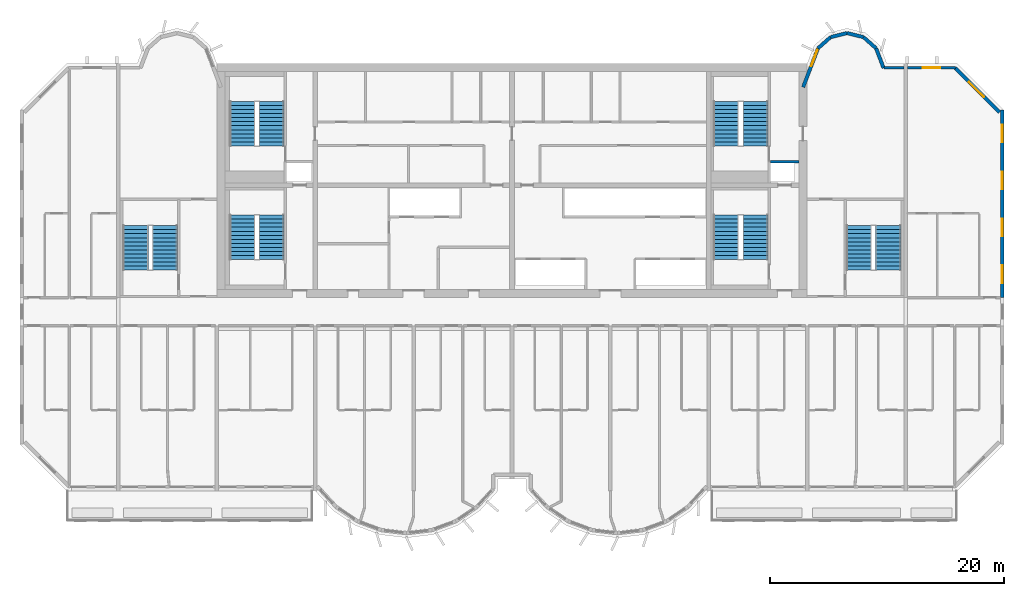
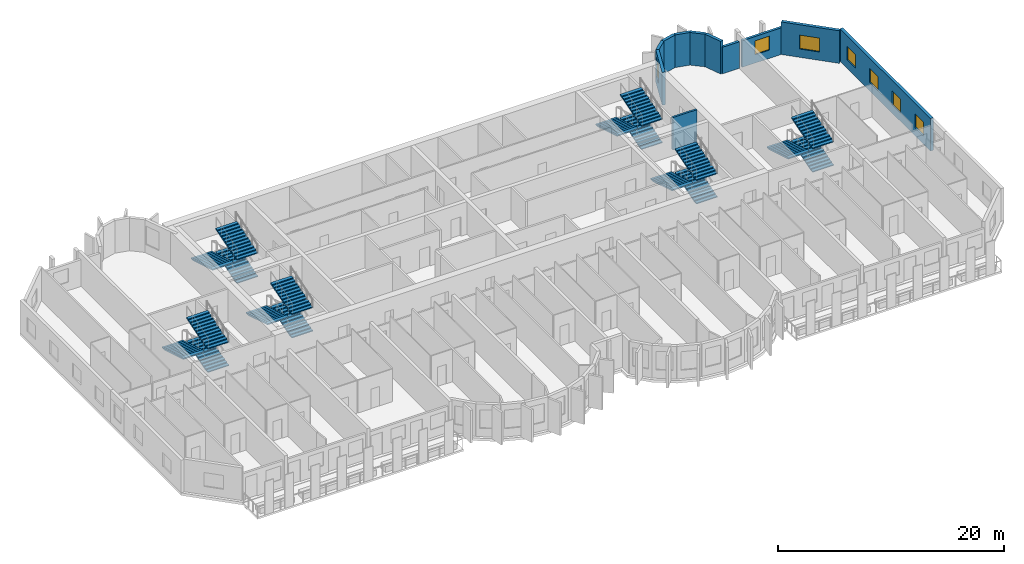
# One storey, part 10 of 13: 18 stair flights, 11 walls, 7 windows, 7 openings, 6 elements without a shape of their own.
"""IFC4 building model written with IfcOpenShell, lengths in metres."""

from ifc_helpers import new_model, si_unit, direction, frame, frame_2d, origin, place, context, subcontext, project, spatial, polyline, rectangle, outline, extrude, source, transform, mapped, material, layer, layer_set, type_object, element, fill, aggregate, save


model = new_model("IFC4")

# Units and contexts
model_context = context("Model", 3, precision=1e-05, world=origin(), true_north=direction((0.0, 1.0)))
body_context = subcontext(model_context, "Body", "Model", "MODEL_VIEW")
ifc_project = project(units=[si_unit("LENGTHUNIT", "METRE"), si_unit("AREAUNIT", "SQUARE_METRE"), si_unit("VOLUMEUNIT", "CUBIC_METRE"), si_unit("PLANEANGLEUNIT", "RADIAN"), si_unit("MASSUNIT", "GRAM", prefix="KILO")], contexts=[model_context])

# Site, building, storey
site_placement = place(None, origin())
site = spatial("IfcSite", under=ifc_project, at=site_placement, CompositionType="ELEMENT")
building_placement = place(site_placement, origin())
building = spatial("IfcBuilding", under=site, at=building_placement, Name="Vanashikhar Sky Hotel", CompositionType="ELEMENT")
storey_placement = place(building_placement, frame((0.0, 0.0, 178.199951171875)))
storey = spatial("IfcBuildingStorey", under=building, at=storey_placement, Name="L43", CompositionType="ELEMENT", Elevation=178.199951171875)

# Wall, openings, windows
ifc_material_1 = material(Name="Concrete M60", Category="concrete")
ifc_layer_1 = layer(ifc_material_1, 0.300048828125)
ifc_layer_set_1 = layer_set([ifc_layer_1], Name="RC shear wall 300 Concrete M60")
wall_type_1 = type_object("IfcWallType", Name="RC shear wall 300 Concrete M60", PredefinedType="SHEAR", material=ifc_layer_set_1)
shared_shape_1 = source(origin(), body_context, "Body", "SweptSolid", [
    extrude(rectangle(XDim=16.0, YDim=0.300048828125, at=frame_2d((8.0, 0.0))), origin(), (0.0, 0.0, 1.0), 3.52001953125),
])
wall_1_placement = place(storey_placement, frame((92.25, 22.0, 0.0), z_axis=(0.0, 0.0, 1.0), x_axis=(0.0, 1.0, 0.0)))
wall_1 = element("IfcWall", 1, at=wall_1_placement, inside=storey, type_object=wall_type_1, Name="CW-L43-XW12-2", PredefinedType="SHEAR", context=body_context, shape_type="MappedRepresentation", body=[
    mapped(shared_shape_1, transform((0.0, 0.0, 0.0), scale=1.0)),
])
shared_shape_2 = source(origin(), body_context, "Body", "SweptSolid", [
    extrude(rectangle(XDim=1.5, YDim=1.5, at=frame_2d((0.75, 0.75))), frame((0.0, 0.16015625, 0.0), z_axis=(0.0, -1.0, 0.0), x_axis=(1.0, 0.0, 0.0)), (0.0, 0.0, 1.0), 0.320068359375),
])
opening_1_placement = place(wall_1_placement, frame((1.25, 0.0, 0.89990234375)))
opening_1 = element("IfcOpeningElement", 2, at=opening_1_placement, cuts=wall_1, Name="Opening WN-1", PredefinedType="OPENING", context=body_context, shape_type="MappedRepresentation", body=[
    mapped(shared_shape_2, transform((0.0, 0.0, 0.0), scale=1.0)),
])
opening_2_placement = place(wall_1_placement, frame((5.25, 0.0, 0.89990234375)))
opening_2 = element("IfcOpeningElement", 3, at=opening_2_placement, cuts=wall_1, Name="Opening WN-1", PredefinedType="OPENING", context=body_context, shape_type="MappedRepresentation", body=[
    mapped(shared_shape_2, transform((0.0, 0.0, 0.0), scale=1.0)),
])
opening_3_placement = place(wall_1_placement, frame((9.25, 0.0, 0.89990234375)))
opening_3 = element("IfcOpeningElement", 4, at=opening_3_placement, cuts=wall_1, Name="Opening WN-1", PredefinedType="OPENING", context=body_context, shape_type="MappedRepresentation", body=[
    mapped(shared_shape_2, transform((0.0, 0.0, 0.0), scale=1.0)),
])
opening_4_placement = place(wall_1_placement, frame((13.25, 0.0, 0.89990234375)))
opening_4 = element("IfcOpeningElement", 5, at=opening_4_placement, cuts=wall_1, Name="Opening WN-1", PredefinedType="OPENING", context=body_context, shape_type="MappedRepresentation", body=[
    mapped(shared_shape_2, transform((0.0, 0.0, 0.0), scale=1.0)),
])
ifc_material_2 = material(Name="Glass", Category="glass")
window_type_1 = type_object("IfcWindowType", Name="Window 1500 x 1500", PartitioningType="SINGLE_PANEL", PredefinedType="WINDOW", material=ifc_material_2)
shared_shape_3 = source(origin(), body_context, "Body", "SweptSolid", [
    extrude(rectangle(XDim=1.5, YDim=1.5, at=frame_2d((0.75, 0.75))), frame((0.0, 0.030029296875, 0.0), z_axis=(0.0, -1.0, 0.0), x_axis=(1.0, 0.0, 0.0)), (0.0, 0.0, 1.0), 0.06005859375),
])
window_1_placement = place(opening_1_placement, origin())
window_1 = element("IfcWindow", 6, at=window_1_placement, inside=storey, type_object=window_type_1, Name="Window WN-1", OverallHeight=1.5, OverallWidth=1.5, PartitioningType="SINGLE_PANEL", PredefinedType="WINDOW", context=body_context, shape_type="MappedRepresentation", body=[
    mapped(shared_shape_3, transform((0.0, 0.0, 0.0), scale=1.0)),
])
fill(opening_1, window_1)
window_2_placement = place(opening_2_placement, origin())
window_2 = element("IfcWindow", 7, at=window_2_placement, inside=storey, type_object=window_type_1, Name="Window WN-1", OverallHeight=1.5, OverallWidth=1.5, PartitioningType="SINGLE_PANEL", PredefinedType="WINDOW", context=body_context, shape_type="MappedRepresentation", body=[
    mapped(shared_shape_3, transform((0.0, 0.0, 0.0), scale=1.0)),
])
fill(opening_2, window_2)
window_3_placement = place(opening_3_placement, origin())
window_3 = element("IfcWindow", 8, at=window_3_placement, inside=storey, type_object=window_type_1, Name="Window WN-1", OverallHeight=1.5, OverallWidth=1.5, PartitioningType="SINGLE_PANEL", PredefinedType="WINDOW", context=body_context, shape_type="MappedRepresentation", body=[
    mapped(shared_shape_3, transform((0.0, 0.0, 0.0), scale=1.0)),
])
fill(opening_3, window_3)
window_4_placement = place(opening_4_placement, origin())
window_4 = element("IfcWindow", 9, at=window_4_placement, inside=storey, type_object=window_type_1, Name="Window WN-1", OverallHeight=1.5, OverallWidth=1.5, PartitioningType="SINGLE_PANEL", PredefinedType="WINDOW", context=body_context, shape_type="MappedRepresentation", body=[
    mapped(shared_shape_3, transform((0.0, 0.0, 0.0), scale=1.0)),
])
fill(opening_4, window_4)

# Wall, opening, window
ifc_material_3 = material(Name="Concrete M50", Category="concrete")
ifc_layer_2 = layer(ifc_material_3, 0.300048828125)
ifc_layer_set_2 = layer_set([ifc_layer_2], Name="Lobe wall 300")
wall_type_2 = type_object("IfcWallType", Name="Lobe wall 300", PredefinedType="SOLIDWALL", material=ifc_layer_set_2)
shared_shape_4 = source(origin(), body_context, "Body", "SweptSolid", [
    extrude(rectangle(XDim=5.32568359375, YDim=0.300048828125, at=frame_2d((2.662841796875, 0.0))), origin(), (0.0, 0.0, 1.0), 3.52001953125),
])
wall_2_placement = place(storey_placement, frame((92.0, 37.834228515625, 0.0), z_axis=(0.0, 0.0, 1.0), x_axis=(-0.707083859269, 0.707129702361, 0.0)))
wall_2 = element("IfcWall", 10, at=wall_2_placement, inside=storey, type_object=wall_type_2, Name="Corner wall", PredefinedType="SOLIDWALL", context=body_context, shape_type="MappedRepresentation", body=[
    mapped(shared_shape_4, transform((0.0, 0.0, 0.0), scale=1.0)),
])
shared_shape_5 = source(origin(), body_context, "Body", "SweptSolid", [
    extrude(rectangle(XDim=1.800048828125, YDim=1.5, at=frame_2d((0.89990234375, 0.75))), frame((0.0, 0.16015625, 0.0), z_axis=(0.0, -1.0, 0.0), x_axis=(1.0, 0.0, 0.0)), (0.0, 0.0, 1.0), 0.320068359375),
])
opening_5_placement = place(wall_2_placement, frame((1.8359375, 0.0, 0.89990234375)))
opening_5 = element("IfcOpeningElement", 11, at=opening_5_placement, cuts=wall_2, Name="Opening WN-4", PredefinedType="OPENING", context=body_context, shape_type="MappedRepresentation", body=[
    mapped(shared_shape_5, transform((0.0, 0.0, 0.0), scale=1.0)),
])
window_type_2 = type_object("IfcWindowType", Name="Corner window 1800 x 1500", PartitioningType="SINGLE_PANEL", PredefinedType="WINDOW", material=ifc_material_2)
shared_shape_6 = source(origin(), body_context, "Body", "SweptSolid", [
    extrude(rectangle(XDim=1.800048828125, YDim=1.5, at=frame_2d((0.89990234375, 0.75))), frame((0.0, 0.030029296875, 0.0), z_axis=(0.0, -1.0, 0.0), x_axis=(1.0, 0.0, 0.0)), (0.0, 0.0, 1.0), 0.06005859375),
])
window_5_placement = place(opening_5_placement, origin())
window_5 = element("IfcWindow", 12, at=window_5_placement, inside=storey, type_object=window_type_2, Name="Window WN-4", OverallHeight=1.5, OverallWidth=1.800048828125, PartitioningType="SINGLE_PANEL", PredefinedType="WINDOW", context=body_context, shape_type="MappedRepresentation", body=[
    mapped(shared_shape_6, transform((0.0, 0.0, 0.0), scale=1.0)),
])
fill(opening_5, window_5)

shared_shape_7 = source(origin(), body_context, "Body", "SweptSolid", [
    extrude(rectangle(XDim=3.55908203125, YDim=0.300048828125, at=frame_2d((1.779541015625, 0.0))), origin(), (0.0, 0.0, 1.0), 3.52001953125),
])
wall_3_placement = place(storey_placement, frame((76.5234375, 43.2919921875, 0.0), z_axis=(0.0, 0.0, 1.0), x_axis=(-0.35779745313, -0.933799219604, 0.0)))
wall_3 = element("IfcWall", 13, at=wall_3_placement, inside=storey, type_object=wall_type_2, Name="Lobe wall", PredefinedType="SOLIDWALL", context=body_context, shape_type="MappedRepresentation", body=[
    mapped(shared_shape_7, transform((0.0, 0.0, 0.0), scale=1.0)),
])
shared_shape_8 = source(origin(), body_context, "Body", "SweptSolid", [
    extrude(rectangle(XDim=1.5, YDim=2.0, at=frame_2d((0.75, 1.0))), frame((0.0, 0.16015625, 0.0), z_axis=(0.0, -1.0, 0.0), x_axis=(1.0, 0.0, 0.0)), (0.0, 0.0, 1.0), 0.320068359375),
])
opening_6_placement = place(wall_3_placement, frame((0.156005859375, 0.0, 0.89990234375)))
opening_6 = element("IfcOpeningElement", 14, at=opening_6_placement, cuts=wall_3, Name="Opening WN-2", PredefinedType="OPENING", context=body_context, shape_type="MappedRepresentation", body=[
    mapped(shared_shape_8, transform((0.0, 0.0, 0.0), scale=1.0)),
])
window_type_3 = type_object("IfcWindowType", Name="Lobe window 1500 x 2000", PartitioningType="SINGLE_PANEL", PredefinedType="WINDOW", material=ifc_material_2)
shared_shape_9 = source(origin(), body_context, "Body", "SweptSolid", [
    extrude(rectangle(XDim=1.5, YDim=2.0, at=frame_2d((0.75, 1.0))), frame((0.0, 0.030029296875, 0.0), z_axis=(0.0, -1.0, 0.0), x_axis=(1.0, 0.0, 0.0)), (0.0, 0.0, 1.0), 0.06005859375),
])
window_6_placement = place(opening_6_placement, origin())
window_6 = element("IfcWindow", 15, at=window_6_placement, inside=storey, type_object=window_type_3, Name="Window WN-2", OverallHeight=2.0, OverallWidth=1.5, PartitioningType="SINGLE_PANEL", PredefinedType="WINDOW", context=body_context, shape_type="MappedRepresentation", body=[
    mapped(shared_shape_9, transform((0.0, 0.0, 0.0), scale=1.0)),
])
fill(opening_6, window_6)

# Walls
shared_shape_10 = source(origin(), body_context, "Body", "SweptSolid", [
    extrude(rectangle(XDim=1.438720703125, YDim=0.300048828125, at=frame_2d((0.71923828125, 0.0))), origin(), (0.0, 0.0, 1.0), 3.52001953125),
])
for number, where, z_axis, x_axis, name in (
    (16, (80.397216796875, 44.2451171875, 0.0), (0.0, 0.0, 1.0), (-0.971161932466, 0.238420848351, 0.0), "Lobe wall"),
    (17, (79.0, 44.588134765625, 0.0), (0.0, 0.0, 1.0), (-0.971161932466, -0.238420848351, 0.0), "Lobe wall"),
):
    element("IfcWall", number, at=place(storey_placement, frame(where, z_axis=z_axis, x_axis=x_axis)), inside=storey, type_object=wall_type_2, Name=name, PredefinedType="SOLIDWALL", context=body_context, shape_type="MappedRepresentation", body=[
        mapped(shared_shape_10, transform((0.0, 0.0, 0.0), scale=1.0)),
    ])
shared_shape_11 = source(origin(), body_context, "Body", "SweptSolid", [
    extrude(rectangle(XDim=1.43994140625, YDim=0.300048828125, at=frame_2d((0.719970703125, 0.0))), origin(), (0.0, 0.0, 1.0), 3.52001953125),
])
for number, where, z_axis, x_axis, name in (
    (18, (81.4765625, 43.2919921875, 0.0), (0.0, 0.0, 1.0), (-0.74957555648, 0.661918790432, 0.0), "Lobe wall"),
    (19, (77.602783203125, 44.2451171875, 0.0), (0.0, 0.0, 1.0), (-0.74957555648, -0.661918790432, 0.0), "Lobe wall"),
):
    element("IfcWall", number, at=place(storey_placement, frame(where, z_axis=z_axis, x_axis=x_axis)), inside=storey, type_object=wall_type_2, Name=name, PredefinedType="SOLIDWALL", context=body_context, shape_type="MappedRepresentation", body=[
        mapped(shared_shape_11, transform((0.0, 0.0, 0.0), scale=1.0)),
    ])
shared_shape_12 = source(origin(), body_context, "Body", "SweptSolid", [
    extrude(rectangle(XDim=1.81201171875, YDim=0.300048828125, at=frame_2d((0.906005859375, 0.0))), origin(), (0.0, 0.0, 1.0), 3.52001953125),
])
wall_4_placement = place(storey_placement, frame((82.125, 41.60009765625, 0.0), z_axis=(0.0, 0.0, 1.0), x_axis=(-0.357877270961, 0.93376863244, 0.0)))
element("IfcWall", 20, at=wall_4_placement, inside=storey, type_object=wall_type_2, Name="Lobe wall", PredefinedType="SOLIDWALL", context=body_context, shape_type="MappedRepresentation", body=[
    mapped(shared_shape_12, transform((0.0, 0.0, 0.0), scale=1.0)),
])
ifc_layer_3 = layer(ifc_material_3, 0.25)
ifc_layer_set_3 = layer_set([ifc_layer_3], Name="Rear and end board-marked wall 250")
wall_type_3 = type_object("IfcWallType", Name="Rear and end board-marked wall 250", PredefinedType="SOLIDWALL", material=ifc_layer_set_3)
shared_shape_13 = source(origin(), body_context, "Body", "SweptSolid", [
    extrude(rectangle(XDim=1.7080078125, YDim=0.25, at=frame_2d((0.85400390625, 0.0))), origin(), (0.0, 0.0, 1.0), 2.8701171875),
])
wall_5_placement = place(storey_placement, frame((83.85009765625, 41.625, 0.0), z_axis=(0.0, 0.0, 1.0), x_axis=(-1.0, 0.0, 0.0)))
element("IfcWall", 21, at=wall_5_placement, inside=storey, type_object=wall_type_3, Name="Rear board-marked wall", PredefinedType="SOLIDWALL", context=body_context, shape_type="MappedRepresentation", body=[
    mapped(shared_shape_13, transform((0.0, 0.0, 0.0), scale=1.0)),
])

# Wall, opening, window
shared_shape_14 = source(origin(), body_context, "Body", "SweptSolid", [
    extrude(rectangle(XDim=4.0947265625, YDim=0.25, at=frame_2d((2.04736328125, 0.0))), origin(), (0.0, 0.0, 1.0), 2.8701171875),
])
wall_6_placement = place(storey_placement, frame((88.24462890625, 41.625, 0.0), z_axis=(0.0, 0.0, 1.0), x_axis=(-1.0, 0.0, 0.0)))
wall_6 = element("IfcWall", 22, at=wall_6_placement, inside=storey, type_object=wall_type_3, Name="Rear board-marked wall", PredefinedType="SOLIDWALL", context=body_context, shape_type="MappedRepresentation", body=[
    mapped(shared_shape_14, transform((0.0, 0.0, 0.0), scale=1.0)),
])
shared_shape_15 = source(origin(), body_context, "Body", "SweptSolid", [
    extrude(rectangle(XDim=1.5, YDim=1.5, at=frame_2d((0.75, 0.75))), frame((0.0, 0.135009765625, 0.0), z_axis=(0.0, -1.0, 0.0), x_axis=(1.0, 0.0, 0.0)), (0.0, 0.0, 1.0), 0.27001953125),
])
opening_7_placement = place(wall_6_placement, frame((1.29736328125, 0.0, 0.89990234375)))
opening_7 = element("IfcOpeningElement", 23, at=opening_7_placement, cuts=wall_6, Name="Opening WN-1", PredefinedType="OPENING", context=body_context, shape_type="MappedRepresentation", body=[
    mapped(shared_shape_15, transform((0.0, 0.0, 0.0), scale=1.0)),
])
window_7_placement = place(opening_7_placement, origin())
window_7 = element("IfcWindow", 24, at=window_7_placement, inside=storey, type_object=window_type_1, Name="Window WN-1", OverallHeight=1.5, OverallWidth=1.5, PartitioningType="SINGLE_PANEL", PredefinedType="WINDOW", context=body_context, shape_type="MappedRepresentation", body=[
    mapped(shared_shape_3, transform((0.0, 0.0, 0.0), scale=1.0)),
])
fill(opening_7, window_7)

# Wall
ifc_material_4 = material(Name="Concrete M40", Category="concrete")
ifc_layer_4 = layer(ifc_material_4, 0.199951171875)
ifc_layer_set_4 = layer_set([ifc_layer_4], Name="Shaft wall 200")
wall_type_4 = type_object("IfcWallType", Name="Shaft wall 200", PredefinedType="SOLIDWALL", material=ifc_layer_set_4)
shared_shape_16 = source(origin(), body_context, "Body", "SweptSolid", [
    extrude(rectangle(XDim=2.449951171875, YDim=0.199951171875, at=frame_2d((1.22509765625, 0.0))), origin(), (0.0, 0.0, 1.0), 3.52001953125),
])
wall_7_placement = place(storey_placement, frame((72.449951171875, 33.60009765625, 0.0), z_axis=(0.0, 0.0, 1.0), x_axis=(1.0, 0.0, 0.0)))
element("IfcWall", 25, at=wall_7_placement, inside=storey, type_object=wall_type_4, Name="Shaft wall 200", PredefinedType="SOLIDWALL", context=body_context, shape_type="MappedRepresentation", body=[
    mapped(shared_shape_16, transform((0.0, 0.0, 0.0), scale=1.0)),
])

# Stair, stair flights
stair_type = type_object("IfcStairType", Name="Exit stair 2150", PredefinedType="DOUBLE_RETURN_STAIR", material=ifc_material_4)
stair_1_placement = place(storey_placement, origin())
stair_1 = element("IfcStair", 26, at=stair_1_placement, inside=storey, type_object=stair_type, Name="L43 Exit stair 1", PredefinedType="DOUBLE_RETURN_STAIR")
stair_flight_type = type_object("IfcStairFlightType", Name="Stair flight 2150", PredefinedType="STRAIGHT", material=ifc_material_4)
shared_shape_17 = source(origin(), body_context, "Body", "SweptSolid", [
    extrude(outline(polyline([(0.0, 0.0), (0.0, 0.10546875), (0.345458984375, 0.10546875), (0.345458984375, 0.211181640625), (0.69091796875, 0.211181640625), (0.69091796875, 0.316650390625), (1.036376953125, 0.316650390625), (1.036376953125, 0.422119140625), (1.3818359375, 0.422119140625), (1.3818359375, 0.52783203125), (1.727294921875, 0.52783203125), (1.727294921875, 0.63330078125), (2.07275390625, 0.63330078125), (2.07275390625, 0.73876953125), (2.418212890625, 0.73876953125), (2.418212890625, 0.844482421875), (2.763671875, 0.844482421875), (2.763671875, 0.949951171875), (3.109130859375, 0.949951171875), (3.109130859375, 1.0556640625), (3.45458984375, 1.0556640625), (3.45458984375, 1.1611328125), (3.800048828125, 1.1611328125), (3.800048828125, 1.2666015625), (3.800048828125, 1.035400390625), (0.4111328125, 0.0), (0.0, 0.0)])), frame((0.0, 1.074951171875, 0.0), z_axis=(0.0, -1.0, 0.0), x_axis=(1.0, 0.0, 0.0)), (0.0, 0.0, 1.0), 2.14990234375),
])
stair_flight_1_placement = place(storey_placement, frame((29.875, 25.25, 0.0), z_axis=(0.0, 0.0, 1.0), x_axis=(0.0, 1.0, 0.0)))
stair_flight_1 = element("IfcStairFlight", 27, at=stair_flight_1_placement, type_object=stair_flight_type, Name="ST-C1 flight 1", NumberOfRisers=12, NumberOfTreads=11, PredefinedType="STRAIGHT", RiserHeight=0.105555556, TreadLength=0.345454545, context=body_context, shape_type="MappedRepresentation", body=[
    mapped(shared_shape_17, transform((0.0, 0.0, 0.0), scale=1.0)),
])
stair_flight_2_placement = place(storey_placement, frame((27.375, 29.050048828125, 1.2666015625), z_axis=(0.0, 0.0, 1.0), x_axis=(0.0, -1.0, 0.0)))
stair_flight_2 = element("IfcStairFlight", 28, at=stair_flight_2_placement, type_object=stair_flight_type, Name="ST-C1 flight 2", NumberOfRisers=12, NumberOfTreads=11, PredefinedType="STRAIGHT", RiserHeight=0.105555556, TreadLength=0.345454545, context=body_context, shape_type="MappedRepresentation", body=[
    mapped(shared_shape_17, transform((0.0, 0.0, 0.0), scale=1.0)),
])
stair_flight_3_placement = place(storey_placement, frame((29.875, 25.25, 2.533447265625), z_axis=(0.0, 0.0, 1.0), x_axis=(0.0, 1.0, 0.0)))
stair_flight_3 = element("IfcStairFlight", 29, at=stair_flight_3_placement, type_object=stair_flight_type, Name="ST-C1 flight 3", NumberOfRisers=12, NumberOfTreads=11, PredefinedType="STRAIGHT", RiserHeight=0.105555556, TreadLength=0.345454545, context=body_context, shape_type="MappedRepresentation", body=[
    mapped(shared_shape_17, transform((0.0, 0.0, 0.0), scale=1.0)),
])
aggregate(stair_1, [stair_flight_1, stair_flight_2, stair_flight_3])

stair_2_placement = place(storey_placement, origin())
stair_2 = element("IfcStair", 30, at=stair_2_placement, inside=storey, type_object=stair_type, Name="L43 Exit stair 2", PredefinedType="DOUBLE_RETURN_STAIR")
stair_flight_4_placement = place(storey_placement, frame((71.175048828125, 25.25, 0.0), z_axis=(0.0, 0.0, 1.0), x_axis=(0.0, 1.0, 0.0)))
stair_flight_4 = element("IfcStairFlight", 31, at=stair_flight_4_placement, type_object=stair_flight_type, Name="ST-C2 flight 1", NumberOfRisers=12, NumberOfTreads=11, PredefinedType="STRAIGHT", RiserHeight=0.105555556, TreadLength=0.345454545, context=body_context, shape_type="MappedRepresentation", body=[
    mapped(shared_shape_17, transform((0.0, 0.0, 0.0), scale=1.0)),
])
stair_flight_5_placement = place(storey_placement, frame((68.675048828125, 29.050048828125, 1.2666015625), z_axis=(0.0, 0.0, 1.0), x_axis=(0.0, -1.0, 0.0)))
stair_flight_5 = element("IfcStairFlight", 32, at=stair_flight_5_placement, type_object=stair_flight_type, Name="ST-C2 flight 2", NumberOfRisers=12, NumberOfTreads=11, PredefinedType="STRAIGHT", RiserHeight=0.105555556, TreadLength=0.345454545, context=body_context, shape_type="MappedRepresentation", body=[
    mapped(shared_shape_17, transform((0.0, 0.0, 0.0), scale=1.0)),
])
stair_flight_6_placement = place(storey_placement, frame((71.175048828125, 25.25, 2.533447265625), z_axis=(0.0, 0.0, 1.0), x_axis=(0.0, 1.0, 0.0)))
stair_flight_6 = element("IfcStairFlight", 33, at=stair_flight_6_placement, type_object=stair_flight_type, Name="ST-C2 flight 3", NumberOfRisers=12, NumberOfTreads=11, PredefinedType="STRAIGHT", RiserHeight=0.105555556, TreadLength=0.345454545, context=body_context, shape_type="MappedRepresentation", body=[
    mapped(shared_shape_17, transform((0.0, 0.0, 0.0), scale=1.0)),
])
aggregate(stair_2, [stair_flight_4, stair_flight_5, stair_flight_6])

stair_3_placement = place(storey_placement, origin())
stair_3 = element("IfcStair", 34, at=stair_3_placement, inside=storey, type_object=stair_type, Name="L43 Exit stair 3", PredefinedType="DOUBLE_RETURN_STAIR")
stair_flight_7_placement = place(storey_placement, frame((20.77490234375, 24.35009765625, 0.0), z_axis=(0.0, 0.0, 1.0), x_axis=(0.0, 1.0, 0.0)))
stair_flight_7 = element("IfcStairFlight", 35, at=stair_flight_7_placement, type_object=stair_flight_type, Name="ST-W flight 1", NumberOfRisers=12, NumberOfTreads=11, PredefinedType="STRAIGHT", RiserHeight=0.105555556, TreadLength=0.345454545, context=body_context, shape_type="MappedRepresentation", body=[
    mapped(shared_shape_17, transform((0.0, 0.0, 0.0), scale=1.0)),
])
stair_flight_8_placement = place(storey_placement, frame((18.27490234375, 28.14990234375, 1.2666015625), z_axis=(0.0, 0.0, 1.0), x_axis=(0.0, -1.0, 0.0)))
stair_flight_8 = element("IfcStairFlight", 36, at=stair_flight_8_placement, type_object=stair_flight_type, Name="ST-W flight 2", NumberOfRisers=12, NumberOfTreads=11, PredefinedType="STRAIGHT", RiserHeight=0.105555556, TreadLength=0.345454545, context=body_context, shape_type="MappedRepresentation", body=[
    mapped(shared_shape_17, transform((0.0, 0.0, 0.0), scale=1.0)),
])
stair_flight_9_placement = place(storey_placement, frame((20.77490234375, 24.35009765625, 2.533447265625), z_axis=(0.0, 0.0, 1.0), x_axis=(0.0, 1.0, 0.0)))
stair_flight_9 = element("IfcStairFlight", 37, at=stair_flight_9_placement, type_object=stair_flight_type, Name="ST-W flight 3", NumberOfRisers=12, NumberOfTreads=11, PredefinedType="STRAIGHT", RiserHeight=0.105555556, TreadLength=0.345454545, context=body_context, shape_type="MappedRepresentation", body=[
    mapped(shared_shape_17, transform((0.0, 0.0, 0.0), scale=1.0)),
])
aggregate(stair_3, [stair_flight_7, stair_flight_8, stair_flight_9])

stair_4_placement = place(storey_placement, origin())
stair_4 = element("IfcStair", 38, at=stair_4_placement, inside=storey, type_object=stair_type, Name="L43 Exit stair 4", PredefinedType="DOUBLE_RETURN_STAIR")
stair_flight_10_placement = place(storey_placement, frame((82.52490234375, 24.35009765625, 0.0), z_axis=(0.0, 0.0, 1.0), x_axis=(0.0, 1.0, 0.0)))
stair_flight_10 = element("IfcStairFlight", 39, at=stair_flight_10_placement, type_object=stair_flight_type, Name="ST-E flight 1", NumberOfRisers=12, NumberOfTreads=11, PredefinedType="STRAIGHT", RiserHeight=0.105555556, TreadLength=0.345454545, context=body_context, shape_type="MappedRepresentation", body=[
    mapped(shared_shape_17, transform((0.0, 0.0, 0.0), scale=1.0)),
])
stair_flight_11_placement = place(storey_placement, frame((80.02490234375, 28.14990234375, 1.2666015625), z_axis=(0.0, 0.0, 1.0), x_axis=(0.0, -1.0, 0.0)))
stair_flight_11 = element("IfcStairFlight", 40, at=stair_flight_11_placement, type_object=stair_flight_type, Name="ST-E flight 2", NumberOfRisers=12, NumberOfTreads=11, PredefinedType="STRAIGHT", RiserHeight=0.105555556, TreadLength=0.345454545, context=body_context, shape_type="MappedRepresentation", body=[
    mapped(shared_shape_17, transform((0.0, 0.0, 0.0), scale=1.0)),
])
stair_flight_12_placement = place(storey_placement, frame((82.52490234375, 24.35009765625, 2.533447265625), z_axis=(0.0, 0.0, 1.0), x_axis=(0.0, 1.0, 0.0)))
stair_flight_12 = element("IfcStairFlight", 41, at=stair_flight_12_placement, type_object=stair_flight_type, Name="ST-E flight 3", NumberOfRisers=12, NumberOfTreads=11, PredefinedType="STRAIGHT", RiserHeight=0.105555556, TreadLength=0.345454545, context=body_context, shape_type="MappedRepresentation", body=[
    mapped(shared_shape_17, transform((0.0, 0.0, 0.0), scale=1.0)),
])
aggregate(stair_4, [stair_flight_10, stair_flight_11, stair_flight_12])

stair_5_placement = place(storey_placement, origin())
stair_5 = element("IfcStair", 42, at=stair_5_placement, inside=storey, type_object=stair_type, Name="L43 Exit stair 5", PredefinedType="DOUBLE_RETURN_STAIR")
stair_flight_13_placement = place(storey_placement, frame((29.875, 34.949951171875, 0.0), z_axis=(0.0, 0.0, 1.0), x_axis=(0.0, 1.0, 0.0)))
stair_flight_13 = element("IfcStairFlight", 43, at=stair_flight_13_placement, type_object=stair_flight_type, Name="ST-C3 flight 1", NumberOfRisers=12, NumberOfTreads=11, PredefinedType="STRAIGHT", RiserHeight=0.105555556, TreadLength=0.345454545, context=body_context, shape_type="MappedRepresentation", body=[
    mapped(shared_shape_17, transform((0.0, 0.0, 0.0), scale=1.0)),
])
stair_flight_14_placement = place(storey_placement, frame((27.375, 38.75, 1.2666015625), z_axis=(0.0, 0.0, 1.0), x_axis=(0.0, -1.0, 0.0)))
stair_flight_14 = element("IfcStairFlight", 44, at=stair_flight_14_placement, type_object=stair_flight_type, Name="ST-C3 flight 2", NumberOfRisers=12, NumberOfTreads=11, PredefinedType="STRAIGHT", RiserHeight=0.105555556, TreadLength=0.345454545, context=body_context, shape_type="MappedRepresentation", body=[
    mapped(shared_shape_17, transform((0.0, 0.0, 0.0), scale=1.0)),
])
stair_flight_15_placement = place(storey_placement, frame((29.875, 34.949951171875, 2.533447265625), z_axis=(0.0, 0.0, 1.0), x_axis=(0.0, 1.0, 0.0)))
stair_flight_15 = element("IfcStairFlight", 45, at=stair_flight_15_placement, type_object=stair_flight_type, Name="ST-C3 flight 3", NumberOfRisers=12, NumberOfTreads=11, PredefinedType="STRAIGHT", RiserHeight=0.105555556, TreadLength=0.345454545, context=body_context, shape_type="MappedRepresentation", body=[
    mapped(shared_shape_17, transform((0.0, 0.0, 0.0), scale=1.0)),
])
aggregate(stair_5, [stair_flight_13, stair_flight_14, stair_flight_15])

stair_6_placement = place(storey_placement, origin())
stair_6 = element("IfcStair", 46, at=stair_6_placement, inside=storey, type_object=stair_type, Name="L43 Exit stair 6", PredefinedType="DOUBLE_RETURN_STAIR")
stair_flight_16_placement = place(storey_placement, frame((71.175048828125, 34.949951171875, 0.0), z_axis=(0.0, 0.0, 1.0), x_axis=(0.0, 1.0, 0.0)))
stair_flight_16 = element("IfcStairFlight", 47, at=stair_flight_16_placement, type_object=stair_flight_type, Name="ST-C4 flight 1", NumberOfRisers=12, NumberOfTreads=11, PredefinedType="STRAIGHT", RiserHeight=0.105555556, TreadLength=0.345454545, context=body_context, shape_type="MappedRepresentation", body=[
    mapped(shared_shape_17, transform((0.0, 0.0, 0.0), scale=1.0)),
])
stair_flight_17_placement = place(storey_placement, frame((68.675048828125, 38.75, 1.2666015625), z_axis=(0.0, 0.0, 1.0), x_axis=(0.0, -1.0, 0.0)))
stair_flight_17 = element("IfcStairFlight", 48, at=stair_flight_17_placement, type_object=stair_flight_type, Name="ST-C4 flight 2", NumberOfRisers=12, NumberOfTreads=11, PredefinedType="STRAIGHT", RiserHeight=0.105555556, TreadLength=0.345454545, context=body_context, shape_type="MappedRepresentation", body=[
    mapped(shared_shape_17, transform((0.0, 0.0, 0.0), scale=1.0)),
])
stair_flight_18_placement = place(storey_placement, frame((71.175048828125, 34.949951171875, 2.533447265625), z_axis=(0.0, 0.0, 1.0), x_axis=(0.0, 1.0, 0.0)))
stair_flight_18 = element("IfcStairFlight", 49, at=stair_flight_18_placement, type_object=stair_flight_type, Name="ST-C4 flight 3", NumberOfRisers=12, NumberOfTreads=11, PredefinedType="STRAIGHT", RiserHeight=0.105555556, TreadLength=0.345454545, context=body_context, shape_type="MappedRepresentation", body=[
    mapped(shared_shape_17, transform((0.0, 0.0, 0.0), scale=1.0)),
])
aggregate(stair_6, [stair_flight_16, stair_flight_17, stair_flight_18])

save(model, "model.ifc")
